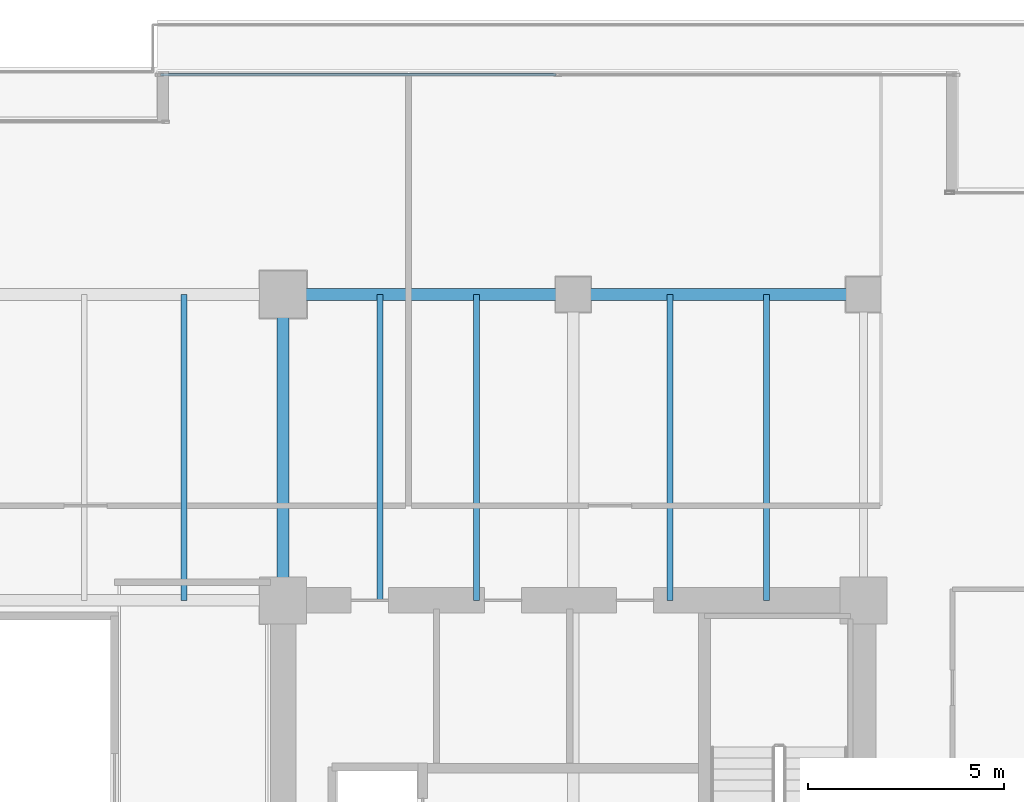
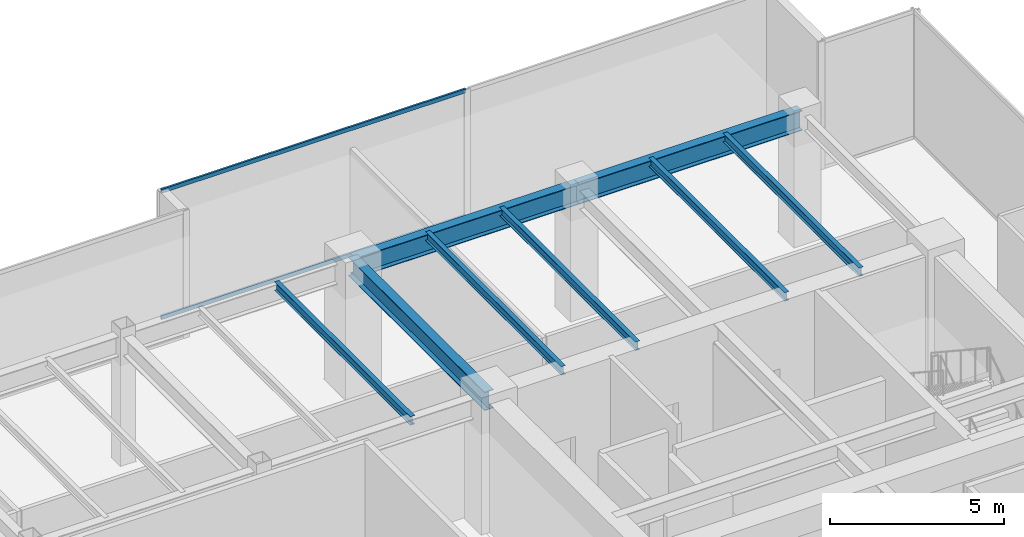
# One storey, part 19 of 33: 8 beams, 2 members, 1 element without a shape of its own.
"""IFC4 building model written with IfcOpenShell, lengths in metres."""

from ifc_helpers import new_model, si_unit, direction, frame, origin, origin_2d, place, context, subcontext, project, spatial, hollow_rectangle, i_section, extrude, source, transform, mapped, material, layer, layer_set, material_profile, profile_set, type_object, type_shapes, element, aggregate, save


model = new_model("IFC4")

# Units and contexts
model_context = context("Model", 3, precision=1e-05, world=origin(), true_north=direction((0.0, 1.0)))
body_context = subcontext(model_context, "Body", "Model", "MODEL_VIEW")
ifc_project = project(units=[si_unit("LENGTHUNIT", "METRE"), si_unit("AREAUNIT", "SQUARE_METRE"), si_unit("VOLUMEUNIT", "CUBIC_METRE"), si_unit("PLANEANGLEUNIT", "RADIAN"), si_unit("MASSUNIT", "GRAM", prefix="KILO")], contexts=[model_context])

# Site, building, storey
site_placement = place(None, origin())
site = spatial("IfcSite", under=ifc_project, at=site_placement, CompositionType="ELEMENT")
building_placement = place(site_placement, origin())
building = spatial("IfcBuilding", under=site, at=building_placement, Name="Haelvirn Gate Laboratories", CompositionType="ELEMENT")
storey_placement = place(building_placement, frame((0.0, 0.0, 100.300048828125)))
storey = spatial("IfcBuildingStorey", under=building, at=storey_placement, Name="L24", CompositionType="ELEMENT", Elevation=100.300048828125)

# Beams
ifc_material_1 = material(Name="Steel SM355", Category="steel")
ifc_material_profile_1 = material_profile(ifc_material_1, i_section(OverallWidth=0.300048828125, OverallDepth=0.64990234375, WebThickness=0.012939453125, FlangeThickness=0.02197265625, at=origin_2d()), Name="H-650x300x13x22")
ifc_profile_set_1 = profile_set([ifc_material_profile_1], Name="Steel SM355")
beam_type_1 = type_object("IfcBeamType", Name="BM-G-650", PredefinedType="BEAM", material=ifc_profile_set_1)
shared_shape_1 = source(origin(), body_context, "Body", "SweptSolid", [
    extrude(i_section(OverallWidth=0.300048828125, OverallDepth=0.64990234375, WebThickness=0.012939453125, FlangeThickness=0.02197265625, at=origin_2d()), origin(), (0.0, 0.0, 1.0), 7.800048828125),
])
type_shapes(beam_type_1, [shared_shape_1])
beam_placement = place(storey_placement, frame((52.60009765625, 33.800048828125, 4.1650390625), z_axis=(0.0, 1.0, 0.0), x_axis=(-1.0, 0.0, 0.0)))
element("IfcBeam", 1, at=beam_placement, inside=storey, type_object=beam_type_1, Name="L24 Frame Girder X52.6 (33.8-41.6)", PredefinedType="BEAM", context=body_context, shape_type="MappedRepresentation", body=[
    mapped(shared_shape_1, transform((0.0, 0.0, 0.0), scale=1.0)),
])
ifc_material_profile_2 = material_profile(ifc_material_1, i_section(OverallWidth=0.300048828125, OverallDepth=0.699951171875, WebThickness=0.012939453125, FlangeThickness=0.02392578125, at=origin_2d()), Name="H-700x300x13x24")
ifc_profile_set_2 = profile_set([ifc_material_profile_2], Name="Steel SM355")
beam_type_2 = type_object("IfcBeamType", Name="BM-G-700", PredefinedType="BEAM", material=ifc_profile_set_2)
shared_shape_2 = source(origin(), body_context, "Body", "SweptSolid", [
    extrude(i_section(OverallWidth=0.300048828125, OverallDepth=0.699951171875, WebThickness=0.012939453125, FlangeThickness=0.02392578125, at=origin_2d()), origin(), (0.0, 0.0, 1.0), 7.39990234375),
])
type_shapes(beam_type_2, [shared_shape_2])
for number, where, z_axis, x_axis, name in (
    (2, (52.60009765625, 41.60009765625, 4.139892578125), (1.0, 0.0, 0.0), (0.0, 1.0, 0.0), "L24 Primary Girder Y41.6 (52.6-60.0)"),
    (3, (60.0, 41.60009765625, 4.139892578125), (1.0, 0.0, 0.0), (0.0, 1.0, 0.0), "L24 Primary Girder Y41.6 (60.0-67.4)"),
):
    element("IfcBeam", number, at=place(storey_placement, frame(where, z_axis=z_axis, x_axis=x_axis)), inside=storey, type_object=beam_type_2, Name=name, PredefinedType="BEAM", context=body_context, shape_type="MappedRepresentation", body=[
        mapped(shared_shape_2, transform((0.0, 0.0, 0.0), scale=1.0)),
    ])
ifc_material_profile_3 = material_profile(ifc_material_1, i_section(OverallWidth=0.14990234375, OverallDepth=0.300048828125, WebThickness=0.006591796875, FlangeThickness=0.009033203125, at=origin_2d()), Name="H-300x150x6.5x9")
ifc_profile_set_3 = profile_set([ifc_material_profile_3], Name="Steel SM355")
beam_type_3 = type_object("IfcBeamType", Name="BM-J-300", PredefinedType="JOIST", material=ifc_profile_set_3)
shared_shape_3 = source(origin(), body_context, "Body", "SweptSolid", [
    extrude(i_section(OverallWidth=0.14990234375, OverallDepth=0.300048828125, WebThickness=0.006591796875, FlangeThickness=0.009033203125, at=origin_2d()), origin(), (0.0, 0.0, 1.0), 7.800048828125),
])
type_shapes(beam_type_3, [shared_shape_3])
for number, where, z_axis, x_axis, name in (
    (4, (50.070068359375, 33.800048828125, 4.33984375), (0.0, 1.0, 0.0), (-1.0, 0.0, 0.0), "L24 Composite Lab Joist North X50.07"),
    (5, (55.070068359375, 33.800048828125, 4.33984375), (0.0, 1.0, 0.0), (-1.0, 0.0, 0.0), "L24 Composite Lab Joist North X55.07"),
    (6, (57.530029296875, 33.800048828125, 4.33984375), (0.0, 1.0, 0.0), (-1.0, 0.0, 0.0), "L24 Composite Lab Joist North X57.53"),
    (7, (62.469970703125, 33.800048828125, 4.33984375), (0.0, 1.0, 0.0), (-1.0, 0.0, 0.0), "L24 Composite Lab Joist North X62.47"),
    (8, (64.929931640625, 33.800048828125, 4.33984375), (0.0, 1.0, 0.0), (-1.0, 0.0, 0.0), "L24 Composite Lab Joist North X64.93"),
):
    element("IfcBeam", number, at=place(storey_placement, frame(where, z_axis=z_axis, x_axis=x_axis)), inside=storey, type_object=beam_type_3, Name=name, PredefinedType="JOIST", context=body_context, shape_type="MappedRepresentation", body=[
        mapped(shared_shape_3, transform((0.0, 0.0, 0.0), scale=1.0)),
    ])

# Curtain wall, members
ifc_material_2 = material(Name="Anodised bronze unitised aluminium & triple low-E glass", Category="aluminium")
ifc_layer = layer(ifc_material_2, 0.179931640625, Name="CW-SYS-3")
ifc_layer_set = layer_set([ifc_layer], Name="Anodised bronze unitised aluminium & triple low-E glass")
curtain_wall_type = type_object("IfcCurtainWallType", Name="CW-SYS-3", PredefinedType="NOTDEFINED", material=ifc_layer_set)
curtain_wall_placement = place(storey_placement, origin())
curtain_wall = element("IfcCurtainWall", 9, at=curtain_wall_placement, inside=storey, type_object=curtain_wall_type, Name="L24 Unitised Curtain Wall CW-L24-P0-E10-1", PredefinedType="NOTDEFINED")
ifc_material_3 = material(Name="Extruded aluminium 6063-T6 (anodised bronze)", Category="aluminium")
ifc_material_profile_4 = material_profile(ifc_material_3, hollow_rectangle(XDim=0.06494140625, YDim=0.139892578125, WallThickness=0.00390625, at=origin_2d()), Name="CWT-140x65x4")
ifc_profile_set_4 = profile_set([ifc_material_profile_4], Name="Extruded aluminium 6063-T6 (anodised bronze)")
member_type = type_object("IfcMemberType", Name="CWT-T140", PredefinedType="USERDEFINED", material=ifc_profile_set_4)
shared_shape_4 = source(origin(), body_context, "Body", "SweptSolid", [
    extrude(hollow_rectangle(XDim=0.06494140625, YDim=0.139892578125, WallThickness=0.00390625, at=origin_2d()), origin(), (0.0, 0.0, 1.0), 10.08740234375),
])
type_shapes(member_type, [shared_shape_4])
member_1_placement = place(storey_placement, frame((49.47509765625, 47.199951171875, 0.032470703125), z_axis=(1.0, 0.0, 0.0), x_axis=(0.0, 1.0, 0.0)))
member_1 = element("IfcMember", 10, at=member_1_placement, type_object=member_type, Name="CW3 transom 1.1", ObjectType="TRANSOM", PredefinedType="USERDEFINED", context=body_context, shape_type="MappedRepresentation", body=[
    mapped(shared_shape_4, transform((0.0, 0.0, 0.0), scale=1.0)),
])
member_2_placement = place(storey_placement, frame((49.47509765625, 47.199951171875, 4.45751953125), z_axis=(1.0, 0.0, 0.0), x_axis=(0.0, 1.0, 0.0)))
member_2 = element("IfcMember", 11, at=member_2_placement, type_object=member_type, Name="CW3 transom 1.2", ObjectType="TRANSOM", PredefinedType="USERDEFINED", context=body_context, shape_type="MappedRepresentation", body=[
    mapped(shared_shape_4, transform((0.0, 0.0, 0.0), scale=1.0)),
])
aggregate(curtain_wall, [member_1, member_2])

save(model, "model.ifc")
